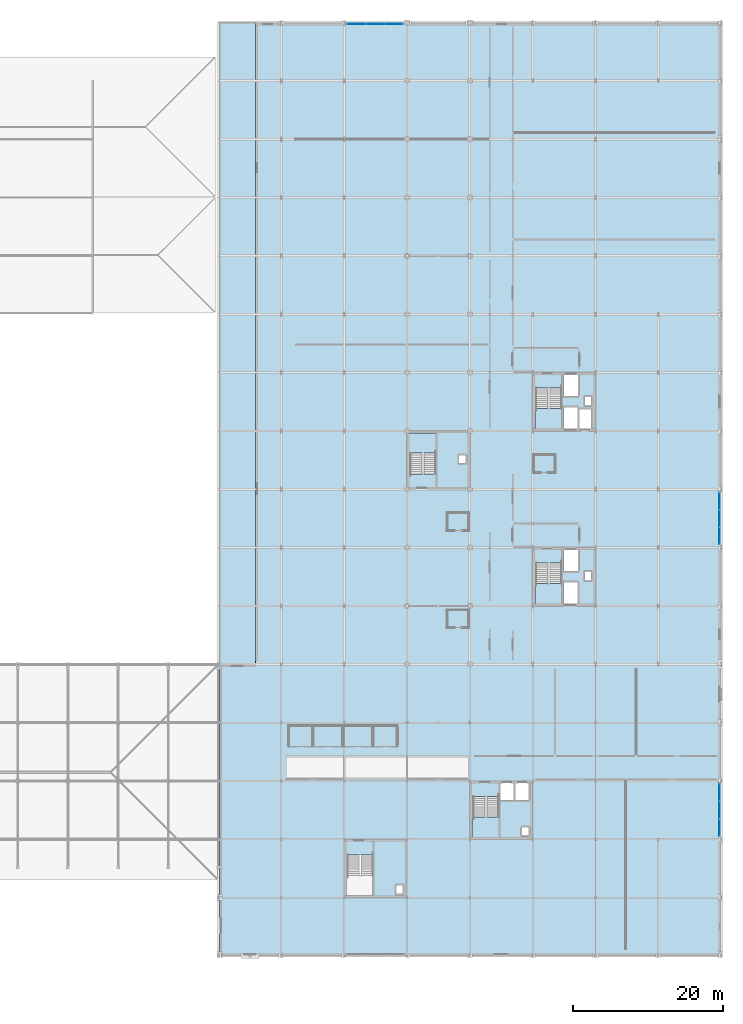
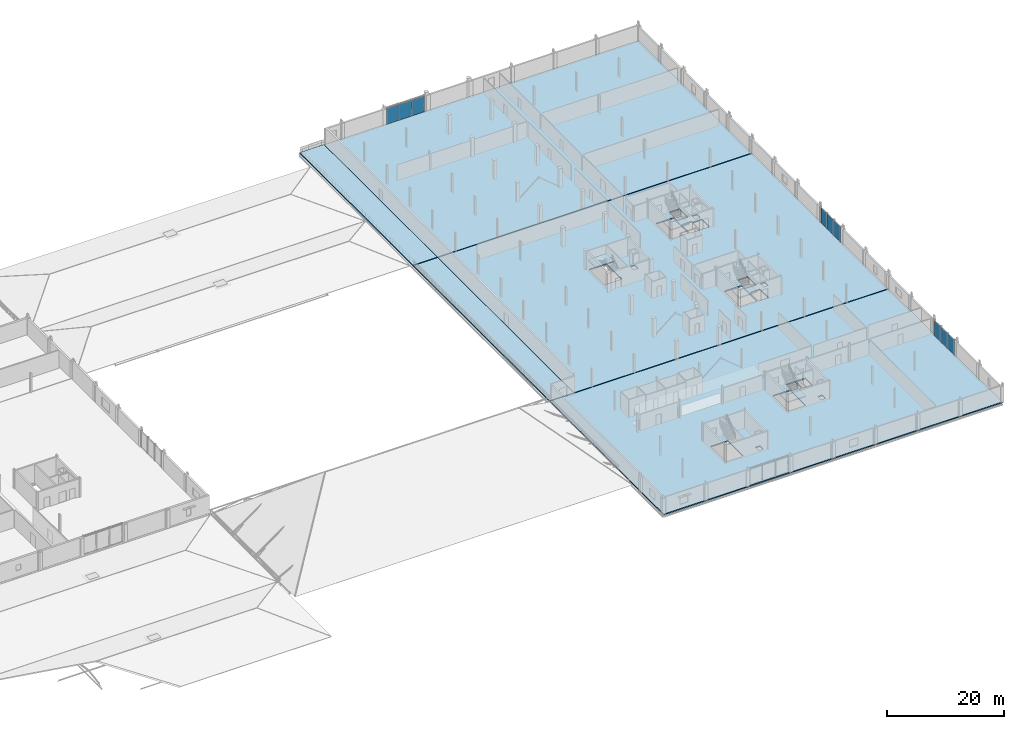
# One storey, part 53 of 77: 9 plates, 9 slabs, 7 elements without a shape of their own.
"""IFC4 building model written with IfcOpenShell, lengths in metres."""

from ifc_helpers import new_model, si_unit, direction, frame, origin, origin_2d, place, context, subcontext, project, spatial, polyline, rectangle, outline, extrude, material, layer, layer_set, type_object, element, aggregate, save


model = new_model("IFC4")

# Units and contexts
model_context = context("Model", 3, precision=1e-05, world=origin(), true_north=direction((0.0, 1.0)))
body_context = subcontext(model_context, "Body", "Model", "MODEL_VIEW")
ifc_project = project(units=[si_unit("LENGTHUNIT", "METRE"), si_unit("AREAUNIT", "SQUARE_METRE"), si_unit("VOLUMEUNIT", "CUBIC_METRE"), si_unit("PLANEANGLEUNIT", "RADIAN"), si_unit("MASSUNIT", "GRAM", prefix="KILO")], contexts=[model_context])

# Site, building, storey
site_placement = place(None, origin())
site = spatial("IfcSite", under=ifc_project, at=site_placement, CompositionType="ELEMENT")
building_placement = place(site_placement, origin())
building = spatial("IfcBuilding", under=site, at=building_placement, Name="Nabrawat Pavilion Hospital", CompositionType="ELEMENT")
storey_placement = place(building_placement, frame((0.0, 0.0, 14.85009765625)))
storey = spatial("IfcBuildingStorey", under=building, at=storey_placement, Name="L03", CompositionType="ELEMENT", Elevation=14.85009765625)

# Slabs
ifc_material_1 = material(Name="Concrete C35/45", Category="concrete")
ifc_layer_1 = layer(ifc_material_1, 0.239990234375, Name="Concrete C35/45")
ifc_layer_set_1 = layer_set([ifc_layer_1], Name="Concrete C35/45")
slab_type_1 = type_object("IfcSlabType", Name="Composite Mid Ward Floor Slab 240", PredefinedType="FLOOR", material=ifc_layer_set_1)
slab_1_placement = place(storey_placement, frame((0.0, 0.0, -0.239990234375)))
element("IfcSlab", 1, at=slab_1_placement, inside=storey, type_object=slab_type_1, Name="L03 Structural Floor Slab P_L03_V6_S", PredefinedType="FLOOR", context=body_context, shape_type="SweptSolid", body=[
    extrude(outline(polyline([(130.919921875, 39.1201171875), (193.199951171875, 39.1201171875), (193.199951171875, 85.800048828125), (130.919921875, 85.800048828125), (130.919921875, 39.1201171875)]), holes=[polyline([(175.8798828125, 73.10009765625), (175.8798828125, 70.5), (174.1201171875, 70.5), (174.1201171875, 73.10009765625), (175.8798828125, 73.10009765625)]), polyline([(174.949951171875, 50.25), (174.949951171875, 51.35009765625), (175.85009765625, 51.35009765625), (175.85009765625, 50.25), (174.949951171875, 50.25)]), polyline([(174.949951171875, 73.64990234375), (174.949951171875, 74.75), (175.85009765625, 74.75), (175.85009765625, 73.64990234375), (174.949951171875, 73.64990234375)]), polyline([(172.10009765625, 51.39990234375), (172.10009765625, 54.300048828125), (174.10009765625, 54.300048828125), (174.10009765625, 51.39990234375), (172.10009765625, 51.39990234375)]), polyline([(172.10009765625, 74.800048828125), (172.10009765625, 77.699951171875), (174.10009765625, 77.699951171875), (174.10009765625, 74.800048828125), (172.10009765625, 74.800048828125)]), polyline([(174.06005859375, 50.0), (174.06005859375, 47.10009765625), (172.10009765625, 47.10009765625), (172.10009765625, 50.0), (174.06005859375, 50.0)]), polyline([(172.10009765625, 70.5), (172.10009765625, 73.39990234375), (174.06005859375, 73.39990234375), (174.06005859375, 70.5), (172.10009765625, 70.5)]), polyline([(171.85009765625, 47.25), (168.449951171875, 47.25), (168.449951171875, 52.530029296875), (171.85009765625, 52.530029296875), (171.85009765625, 47.25)]), polyline([(171.85009765625, 70.64990234375), (168.449951171875, 70.64990234375), (168.449951171875, 75.929931640625), (171.85009765625, 75.929931640625), (171.85009765625, 70.64990234375)]), polyline([(159.050048828125, 66.949951171875), (159.050048828125, 65.85009765625), (158.14990234375, 65.85009765625), (158.14990234375, 66.949951171875), (159.050048828125, 66.949951171875)]), polyline([(155.050048828125, 64.469970703125), (151.64990234375, 64.469970703125), (151.64990234375, 69.75), (155.050048828125, 69.75), (155.050048828125, 64.469970703125)])]), origin(), (0.0, 0.0, 1.0), 0.239990234375),
])
slab_2_placement = place(storey_placement, frame((0.0, 0.0, -0.239990234375)))
element("IfcSlab", 2, at=slab_2_placement, inside=storey, type_object=slab_type_1, Name="L03 Structural Floor Slab P_L03_V6_N", PredefinedType="FLOOR", context=body_context, shape_type="SweptSolid", body=[
    extrude(outline(polyline([(193.199951171875, 85.919921875), (193.199951171875, 124.800048828125), (130.919921875, 124.800048828125), (130.919921875, 85.919921875), (193.199951171875, 85.919921875)])), origin(), (0.0, 0.0, 1.0), 0.239990234375),
])
ifc_layer_2 = layer(ifc_material_1, 0.22998046875, Name="Concrete C35/45")
ifc_layer_set_2 = layer_set([ifc_layer_2], Name="Concrete C35/45")
slab_type_2 = type_object("IfcSlabType", Name="Composite Outpatient Floor Slab 230", PredefinedType="FLOOR", material=ifc_layer_set_2)
slab_3_placement = place(storey_placement, frame((0.0, 0.0, -0.22998046875)))
element("IfcSlab", 3, at=slab_3_placement, inside=storey, type_object=slab_type_2, Name="L03 Structural Floor Slab P_L03_V5", PredefinedType="FLOOR", context=body_context, shape_type="SweptSolid", body=[
    extrude(outline(polyline([(126.1201171875, 0.0), (193.199951171875, 0.0), (193.199951171875, 39.0), (126.1201171875, 39.0), (126.1201171875, 0.0)]), holes=[polyline([(167.47998046875, 23.10009765625), (167.47998046875, 20.800048828125), (165.719970703125, 20.800048828125), (165.719970703125, 23.10009765625), (167.47998046875, 23.10009765625)]), polyline([(167.449951171875, 17.25), (167.449951171875, 16.14990234375), (166.550048828125, 16.14990234375), (166.550048828125, 17.25), (167.449951171875, 17.25)]), polyline([(165.4599609375, 23.10009765625), (165.4599609375, 20.800048828125), (163.699951171875, 20.800048828125), (163.699951171875, 23.10009765625), (165.4599609375, 23.10009765625)]), polyline([(160.050048828125, 21.330078125), (163.449951171875, 21.330078125), (163.449951171875, 16.050048828125), (160.050048828125, 16.050048828125), (160.050048828125, 21.330078125)]), polyline([(149.75, 8.35009765625), (149.75, 9.449951171875), (150.64990234375, 9.449951171875), (150.64990234375, 8.35009765625), (149.75, 8.35009765625)]), polyline([(146.64990234375, 8.25), (143.25, 8.25), (143.25, 13.530029296875), (146.64990234375, 13.530029296875), (146.64990234375, 8.25)])]), origin(), (0.0, 0.0, 1.0), 0.22998046875),
])
ifc_layer_3 = layer(ifc_material_1, 0.25, Name="Concrete C35/45")
ifc_layer_set_3 = layer_set([ifc_layer_3], Name="Concrete C35/45")
slab_type_3 = type_object("IfcSlabType", Name="Exterior Stepped Terrace Slab 250", PredefinedType="FLOOR", material=ifc_layer_set_3)
slab_4_placement = place(storey_placement, frame((0.0, 0.0, -0.25)))
element("IfcSlab", 4, at=slab_4_placement, inside=storey, type_object=slab_type_3, Name="L03 Walkable Clinical Terrace Slab T_L03_WARD_STEP1_S", PredefinedType="FLOOR", context=body_context, shape_type="SweptSolid", body=[
    extrude(outline(polyline([(130.919921875, 39.1201171875), (130.919921875, 85.800048828125), (126.1201171875, 85.800048828125), (126.1201171875, 39.1201171875), (130.919921875, 39.1201171875)])), origin(), (0.0, 0.0, 1.0), 0.25),
])
slab_5_placement = place(storey_placement, frame((0.0, 0.0, -0.25)))
element("IfcSlab", 5, at=slab_5_placement, inside=storey, type_object=slab_type_3, Name="L03 Walkable Clinical Terrace Slab T_L03_WARD_STEP1_N", PredefinedType="FLOOR", context=body_context, shape_type="SweptSolid", body=[
    extrude(outline(polyline([(130.919921875, 85.919921875), (130.919921875, 124.800048828125), (126.1201171875, 124.800048828125), (126.1201171875, 85.919921875), (130.919921875, 85.919921875)])), origin(), (0.0, 0.0, 1.0), 0.25),
])

# Curtain wall, plates
ifc_material_2 = material(Name="Anodised Aluminium", Category="aluminium")
curtain_wall_type_1 = type_object("IfcCurtainWallType", Name="Inpatient Dayroom Bay Curtain Wall", PredefinedType="USERDEFINED", material=ifc_material_2)
curtain_wall_1_placement = place(storey_placement, origin())
curtain_wall_1 = element("IfcCurtainWall", 6, at=curtain_wall_1_placement, inside=storey, type_object=curtain_wall_type_1, Name="L03 Inpatient Dayroom Bay Curtain Wall 144", ObjectType="CURTAIN WALL", PredefinedType="USERDEFINED")
ifc_material_3 = material(Name="Double-Glazed Low-E Glass", Category="glass")
ifc_layer_4 = layer(ifc_material_3, 0.02587890625, Name="Double-Glazed Low-E Glass")
ifc_layer_set_4 = layer_set([ifc_layer_4], Name="Double-Glazed Low-E Glass")
plate_type_1 = type_object("IfcPlateType", Name="Inpatient Dayroom Bay Curtain Wall Low-E Solar Panel 26", PredefinedType="CURTAIN_PANEL", material=ifc_layer_set_4)
plate_1_placement = place(storey_placement, frame((144.399169921875, 124.580078125, 0.059814453125), z_axis=(0.0, 0.0, 1.0), x_axis=(1.0, 0.0, 0.0)))
plate_1 = element("IfcPlate", 7, at=plate_1_placement, type_object=plate_type_1, Name="CW-WRD-01 panel 1.1", PredefinedType="CURTAIN_PANEL", context=body_context, shape_type="SweptSolid", body=[
    extrude(rectangle(XDim=2.438232421875, YDim=0.02587890625, at=origin_2d()), origin(), (0.0, 0.0, 1.0), 3.330078125),
])
plate_2_placement = place(storey_placement, frame((146.91259765625, 124.580078125, 0.059814453125), z_axis=(0.0, 0.0, 1.0), x_axis=(1.0, 0.0, 0.0)))
plate_2 = element("IfcPlate", 8, at=plate_2_placement, type_object=plate_type_1, Name="CW-WRD-01 panel 2.1", PredefinedType="CURTAIN_PANEL", context=body_context, shape_type="SweptSolid", body=[
    extrude(rectangle(XDim=2.46826171875, YDim=0.02587890625, at=origin_2d()), origin(), (0.0, 0.0, 1.0), 3.330078125),
])
plate_3_placement = place(storey_placement, frame((149.42578125, 124.580078125, 0.059814453125), z_axis=(0.0, 0.0, 1.0), x_axis=(1.0, 0.0, 0.0)))
plate_3 = element("IfcPlate", 9, at=plate_3_placement, type_object=plate_type_1, Name="CW-WRD-01 panel 3.1", PredefinedType="CURTAIN_PANEL", context=body_context, shape_type="SweptSolid", body=[
    extrude(rectangle(XDim=2.438232421875, YDim=0.02587890625, at=origin_2d()), origin(), (0.0, 0.0, 1.0), 3.330078125),
])
aggregate(curtain_wall_1, [plate_1, plate_2, plate_3])

curtain_wall_2_placement = place(storey_placement, origin())
curtain_wall_2 = element("IfcCurtainWall", 10, at=curtain_wall_2_placement, inside=storey, type_object=curtain_wall_type_1, Name="L03 Inpatient Dayroom Bay Curtain Wall 146", ObjectType="CURTAIN WALL", PredefinedType="USERDEFINED")
plate_4_placement = place(storey_placement, frame((192.97998046875, 56.195068359375, 0.059814453125), z_axis=(0.0, 0.0, 1.0), x_axis=(0.0, 1.0, 0.0)))
plate_4 = element("IfcPlate", 11, at=plate_4_placement, type_object=plate_type_1, Name="CW-WRD-01 panel 1.1", PredefinedType="CURTAIN_PANEL", context=body_context, shape_type="SweptSolid", body=[
    extrude(rectangle(XDim=2.22998046875, YDim=0.02587890625, at=origin_2d()), origin(), (0.0, 0.0, 1.0), 3.22998046875),
])
plate_5_placement = place(storey_placement, frame((192.97998046875, 58.5, 0.059814453125), z_axis=(0.0, 0.0, 1.0), x_axis=(0.0, 1.0, 0.0)))
plate_5 = element("IfcPlate", 12, at=plate_5_placement, type_object=plate_type_1, Name="CW-WRD-01 panel 2.1", PredefinedType="CURTAIN_PANEL", context=body_context, shape_type="SweptSolid", body=[
    extrude(rectangle(XDim=2.260009765625, YDim=0.02587890625, at=origin_2d()), origin(), (0.0, 0.0, 1.0), 3.22998046875),
])
plate_6_placement = place(storey_placement, frame((192.97998046875, 60.804931640625, 0.059814453125), z_axis=(0.0, 0.0, 1.0), x_axis=(0.0, 1.0, 0.0)))
plate_6 = element("IfcPlate", 13, at=plate_6_placement, type_object=plate_type_1, Name="CW-WRD-01 panel 3.1", PredefinedType="CURTAIN_PANEL", context=body_context, shape_type="SweptSolid", body=[
    extrude(rectangle(XDim=2.22998046875, YDim=0.02587890625, at=origin_2d()), origin(), (0.0, 0.0, 1.0), 3.22998046875),
])
aggregate(curtain_wall_2, [plate_4, plate_5, plate_6])

curtain_wall_type_2 = type_object("IfcCurtainWallType", Name="Outpatient Boulevard Curtain Wall", PredefinedType="USERDEFINED", material=ifc_material_2)
curtain_wall_3_placement = place(storey_placement, origin())
curtain_wall_3 = element("IfcCurtainWall", 14, at=curtain_wall_3_placement, inside=storey, type_object=curtain_wall_type_2, Name="L03 Outpatient Boulevard Curtain Wall 145", ObjectType="CURTAIN WALL", PredefinedType="USERDEFINED")
ifc_layer_5 = layer(ifc_material_3, 0.02392578125, Name="Double-Glazed Low-E Glass")
ifc_layer_set_5 = layer_set([ifc_layer_5], Name="Double-Glazed Low-E Glass")
plate_type_2 = type_object("IfcPlateType", Name="Outpatient Boulevard Curtain Wall Low-E Solar Panel 24", PredefinedType="CURTAIN_PANEL", material=ifc_layer_set_5)
plate_7_placement = place(storey_placement, frame((192.97998046875, 17.1416015625, 0.06005859375), z_axis=(0.0, 0.0, 1.0), x_axis=(0.0, 1.0, 0.0)))
plate_7 = element("IfcPlate", 15, at=plate_7_placement, type_object=plate_type_2, Name="CW-OPC-01 panel 1.1", PredefinedType="CURTAIN_PANEL", context=body_context, shape_type="SweptSolid", body=[
    extrude(rectangle(XDim=2.283447265625, YDim=0.02392578125, at=origin_2d()), origin(), (0.0, 0.0, 1.0), 3.179931640625),
])
plate_8_placement = place(storey_placement, frame((192.97998046875, 19.5, 0.06005859375), z_axis=(0.0, 0.0, 1.0), x_axis=(0.0, 1.0, 0.0)))
plate_8 = element("IfcPlate", 16, at=plate_8_placement, type_object=plate_type_2, Name="CW-OPC-01 panel 2.1", PredefinedType="CURTAIN_PANEL", context=body_context, shape_type="SweptSolid", body=[
    extrude(rectangle(XDim=2.313232421875, YDim=0.02392578125, at=origin_2d()), origin(), (0.0, 0.0, 1.0), 3.179931640625),
])
plate_9_placement = place(storey_placement, frame((192.97998046875, 21.8583984375, 0.06005859375), z_axis=(0.0, 0.0, 1.0), x_axis=(0.0, 1.0, 0.0)))
plate_9 = element("IfcPlate", 17, at=plate_9_placement, type_object=plate_type_2, Name="CW-OPC-01 panel 3.1", PredefinedType="CURTAIN_PANEL", context=body_context, shape_type="SweptSolid", body=[
    extrude(rectangle(XDim=2.283447265625, YDim=0.02392578125, at=origin_2d()), origin(), (0.0, 0.0, 1.0), 3.179931640625),
])
aggregate(curtain_wall_3, [plate_7, plate_8, plate_9])

# Stair, slab
stair_type_1 = type_object("IfcStairType", Name="Core Dogleg Escape Stair Assembly", PredefinedType="HALF_TURN_STAIR", material=ifc_material_1)
stair_1_placement = place(storey_placement, origin())
stair_1 = element("IfcStair", 18, at=stair_1_placement, inside=storey, type_object=stair_type_1, Name="L03 Outpatient Clinics Core 4", PredefinedType="HALF_TURN_STAIR")
ifc_layer_6 = layer(ifc_material_1, 0.199951171875, Name="Concrete C35/45")
ifc_layer_set_6 = layer_set([ifc_layer_6], Name="Concrete C35/45")
slab_type_4 = type_object("IfcSlabType", Name="Reinforced Concrete Stair Half-Landing 200", PredefinedType="LANDING", material=ifc_layer_set_6)
slab_6_placement = place(storey_placement, frame((0.0, 0.0, 1.824951171875)))
slab_6 = element("IfcSlab", 19, at=slab_6_placement, type_object=slab_type_4, Name="ST-04 landing 1", PredefinedType="LANDING", context=body_context, shape_type="SweptSolid", body=[
    extrude(outline(polyline([(163.469970703125, 15.8798828125), (163.469970703125, 18.580078125), (159.8798828125, 18.580078125), (159.8798828125, 15.8798828125), (163.469970703125, 15.8798828125)])), origin(), (0.0, 0.0, 1.0), 0.199951171875),
])
aggregate(stair_1, [slab_6])

stair_type_2 = type_object("IfcStairType", Name="Ward Upper Dogleg Escape Stair Assembly", PredefinedType="HALF_TURN_STAIR", material=ifc_material_1)
stair_2_placement = place(storey_placement, origin())
stair_2 = element("IfcStair", 20, at=stair_2_placement, inside=storey, type_object=stair_type_2, Name="L03 Inpatient South Firefighting Core 5", PredefinedType="HALF_TURN_STAIR")
slab_7_placement = place(storey_placement, frame((0.0, 0.0, 1.824951171875)))
slab_7 = element("IfcSlab", 21, at=slab_7_placement, type_object=slab_type_4, Name="ST-05 landing 1", PredefinedType="LANDING", context=body_context, shape_type="SweptSolid", body=[
    extrude(outline(polyline([(171.8701171875, 47.080078125), (171.8701171875, 49.780029296875), (168.280029296875, 49.780029296875), (168.280029296875, 47.080078125), (171.8701171875, 47.080078125)])), origin(), (0.0, 0.0, 1.0), 0.199951171875),
])
aggregate(stair_2, [slab_7])

stair_3_placement = place(storey_placement, origin())
stair_3 = element("IfcStair", 22, at=stair_3_placement, inside=storey, type_object=stair_type_2, Name="L03 Inpatient North Firefighting Core 6", PredefinedType="HALF_TURN_STAIR")
slab_8_placement = place(storey_placement, frame((0.0, 0.0, 1.824951171875)))
slab_8 = element("IfcSlab", 23, at=slab_8_placement, type_object=slab_type_4, Name="ST-06 landing 1", PredefinedType="LANDING", context=body_context, shape_type="SweptSolid", body=[
    extrude(outline(polyline([(171.8701171875, 70.47998046875), (171.8701171875, 73.179931640625), (168.280029296875, 73.179931640625), (168.280029296875, 70.47998046875), (171.8701171875, 70.47998046875)])), origin(), (0.0, 0.0, 1.0), 0.199951171875),
])
aggregate(stair_3, [slab_8])

stair_4_placement = place(storey_placement, origin())
stair_4 = element("IfcStair", 24, at=stair_4_placement, inside=storey, type_object=stair_type_2, Name="L03 Inpatient West Escape Stair Core 9", PredefinedType="HALF_TURN_STAIR")
slab_9_placement = place(storey_placement, frame((0.0, 0.0, 1.824951171875)))
slab_9 = element("IfcSlab", 25, at=slab_9_placement, type_object=slab_type_4, Name="ST-09 landing 1", PredefinedType="LANDING", context=body_context, shape_type="SweptSolid", body=[
    extrude(outline(polyline([(155.070068359375, 67.219970703125), (155.070068359375, 69.919921875), (151.47998046875, 69.919921875), (151.47998046875, 67.219970703125), (155.070068359375, 67.219970703125)])), origin(), (0.0, 0.0, 1.0), 0.199951171875),
])
aggregate(stair_4, [slab_9])

save(model, "model.ifc")
